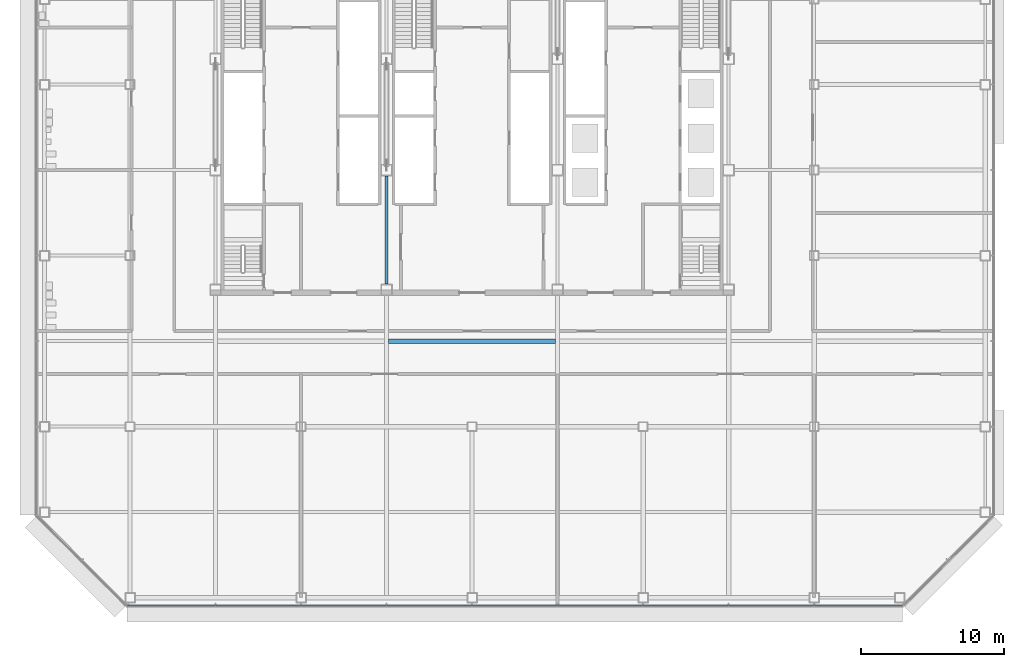
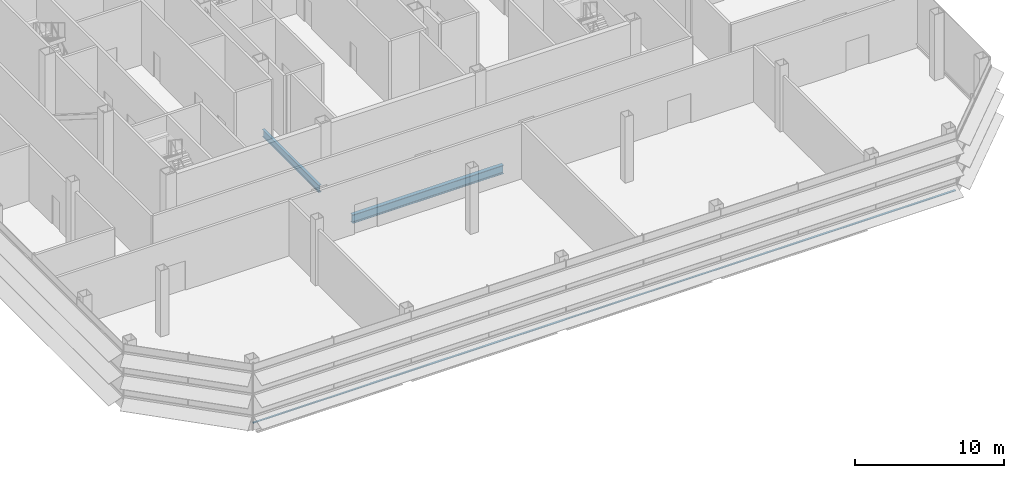
# One storey, part 6 of 24: 2 beams, 1 member, 1 element without a shape of its own.
"""IFC4 building model written with IfcOpenShell, lengths in metres."""

from ifc_helpers import new_model, si_unit, direction, frame, origin, origin_2d, place, context, subcontext, project, spatial, rectangle, i_section, extrude, material, material_profile, profile_set, type_object, element, aggregate, save


model = new_model("IFC4")

# Units and contexts
model_context = context("Model", 3, precision=1e-05, world=origin(), true_north=direction((0.0, 1.0)))
body_context = subcontext(model_context, "Body", "Model", "MODEL_VIEW")
ifc_project = project(units=[si_unit("LENGTHUNIT", "METRE"), si_unit("AREAUNIT", "SQUARE_METRE"), si_unit("VOLUMEUNIT", "CUBIC_METRE"), si_unit("PLANEANGLEUNIT", "RADIAN"), si_unit("MASSUNIT", "GRAM", prefix="KILO")], contexts=[model_context])

# Site, building, storey
site_placement = place(None, origin())
site = spatial("IfcSite", under=ifc_project, at=site_placement, CompositionType="ELEMENT")
building_placement = place(site_placement, origin())
building = spatial("IfcBuilding", under=site, at=building_placement, Name="Sorahane Residences", CompositionType="ELEMENT")
storey_placement = place(building_placement, frame((0.0, 0.0, 161.800048828125)))
storey = spatial("IfcBuildingStorey", under=building, at=storey_placement, Name="L37", CompositionType="ELEMENT", Elevation=161.800048828125)

# Curtain wall, member
ifc_material_1 = material(Name="Dark low-e glass and black anodised aluminium", Category="aluminium")
curtain_wall_type = type_object("IfcCurtainWallType", Name="Curtain wall CW-4 Sky floor frameless wall", PredefinedType="NOTDEFINED", material=ifc_material_1)
curtain_wall_placement = place(storey_placement, origin())
curtain_wall = element("IfcCurtainWall", 1, at=curtain_wall_placement, inside=storey, type_object=curtain_wall_type, Name="CW-4 curtain wall L37 S1", PredefinedType="NOTDEFINED")
ifc_material_2 = material(Name="Black anodised aluminium", Category="aluminium")
ifc_material_profile_1 = material_profile(ifc_material_2, rectangle(XDim=0.10009765625, YDim=0.06005859375, at=origin_2d()), Name="Curtain wall transom CW-4 black anodised aluminium 60x100")
ifc_profile_set_1 = profile_set([ifc_material_profile_1], Name="Black anodised aluminium")
member_type = type_object("IfcMemberType", Name="Curtain wall transom CW-4 black anodised aluminium 60x100", PredefinedType="USERDEFINED", material=ifc_profile_set_1)
member_placement = place(storey_placement, frame((-0.198486328125, -0.530029296875, 0.349853515625), z_axis=(1.0, 0.0, 0.0), x_axis=(0.0, 1.0, 0.0)))
member = element("IfcMember", 2, at=member_placement, type_object=member_type, Name="CW-4 transom L37 S1", ObjectType="TRANSOM", PredefinedType="USERDEFINED", context=body_context, shape_type="SweptSolid", body=[
    extrude(rectangle(XDim=0.10009765625, YDim=0.06005859375, at=origin_2d()), origin(), (0.0, 0.0, 1.0), 54.39697265625),
])
aggregate(curtain_wall, [member])

# Beams
ifc_material_3 = material(Name="Steel Q355B", Category="steel")
ifc_material_profile_2 = material_profile(ifc_material_3, i_section(OverallWidth=0.199951171875, OverallDepth=0.60009765625, WebThickness=0.010986328125, FlangeThickness=0.01708984375, FilletRadius=0.02392578125, at=origin_2d()), Name="HN 600x200x11x17")
ifc_profile_set_2 = profile_set([ifc_material_profile_2], Name="Steel Q355B")
beam_type_1 = type_object("IfcBeamType", Name="Steel floor beam HN 600x200x11x17 Q355B", PredefinedType="BEAM", material=ifc_profile_set_2)
beam_1_placement = place(storey_placement, frame((18.0, 22.0, -0.52001953125), z_axis=(0.0, 1.0, 0.0), x_axis=(-1.0, 0.0, 0.0)))
element("IfcBeam", 3, at=beam_1_placement, inside=storey, type_object=beam_type_1, Name="Beam L37 038", PredefinedType="BEAM", context=body_context, shape_type="SweptSolid", body=[
    extrude(i_section(OverallWidth=0.199951171875, OverallDepth=0.60009765625, WebThickness=0.010986328125, FlangeThickness=0.01708984375, FilletRadius=0.02392578125, at=origin_2d()), origin(), (0.0, 0.0, 1.0), 7.60009765625),
])
ifc_material_4 = material(Name="Steel Q355B", Category="steel")
ifc_material_profile_3 = material_profile(ifc_material_4, i_section(OverallWidth=0.300048828125, OverallDepth=0.699951171875, WebThickness=0.012939453125, FlangeThickness=0.02392578125, FilletRadius=0.028076171875, at=origin_2d()), Name="HN 700x300x13x24")
ifc_profile_set_3 = profile_set([ifc_material_profile_3], Name="Steel Q355B")
beam_type_2 = type_object("IfcBeamType", Name="Steel floor beam HN 700x300x13x24 Q355B", PredefinedType="BEAM", material=ifc_profile_set_3)
beam_2_placement = place(storey_placement, frame((18.14990234375, 18.0, -0.570068359375), z_axis=(1.0, 0.0, 0.0), x_axis=(0.0, 1.0, 0.0)))
element("IfcBeam", 4, at=beam_2_placement, inside=storey, type_object=beam_type_2, Name="Beam L37 081", PredefinedType="BEAM", context=body_context, shape_type="SweptSolid", body=[
    extrude(i_section(OverallWidth=0.300048828125, OverallDepth=0.699951171875, WebThickness=0.012939453125, FlangeThickness=0.02392578125, FilletRadius=0.028076171875, at=origin_2d()), origin(), (0.0, 0.0, 1.0), 11.7001953125),
])

save(model, "model.ifc")
